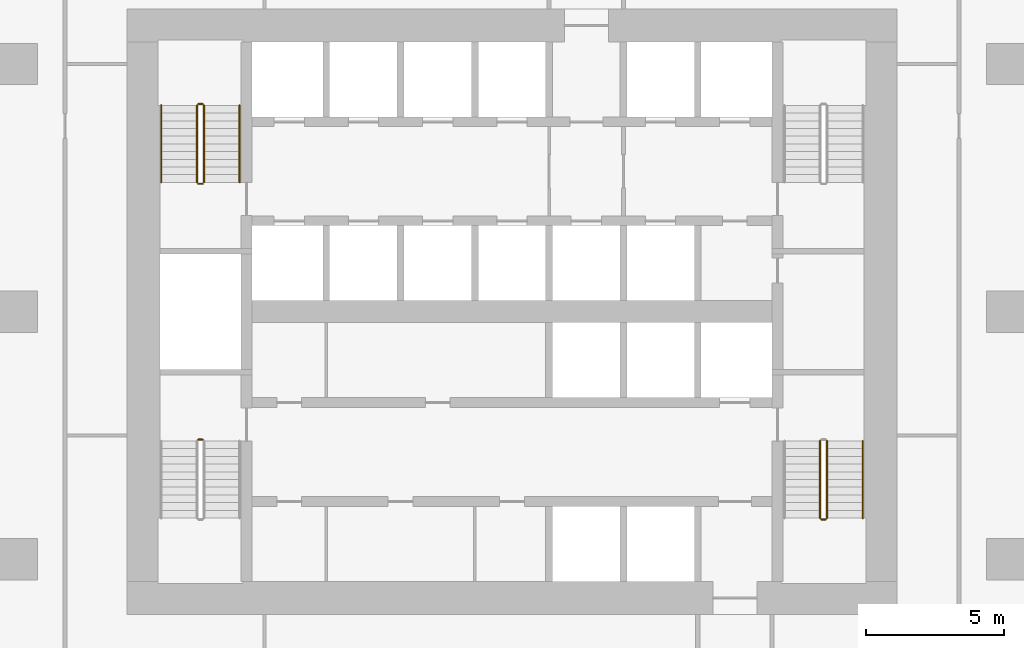
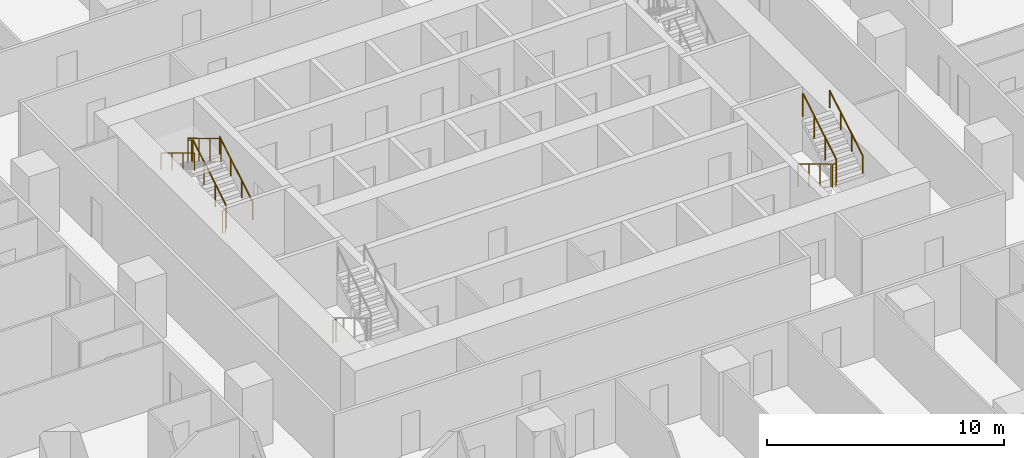
# One storey, part 24 of 27: 11 railings.
"""IFC4 building model written with IfcOpenShell, lengths in metres."""

import ifcopenshell
import ifcopenshell.guid

model = None  # the IFC model being written
_history = None  # IfcOwnerHistory: only IFC2X3 demands one
_inside = {}  # id of a spatial element -> (the spatial element, [elements in it])
_under = {}  # id of a project, library or spatial element -> (it, [spatial elements below it])
_declared = {}  # id of a project -> (the project, [libraries it declares])
_typed = {}  # id of a type object -> (the type object, [elements of that type])
_made_of = {}  # id of a material, layer set ... -> (it, [elements and type objects made of it])


def new_model(schema):
    """Start an empty IFC model of exactly this schema.

    Asked for "IFC4X3", IfcOpenShell would pick the latest addendum, in which some entities
    have other attributes; the version numbers below select the first issue.
    IFC2X3 requires an IfcOwnerHistory on every rooted entity: one is made here for all.
    """
    global model, _history
    if schema == "IFC4X3":
        model = ifcopenshell.file(schema_version=(4, 3, 0, 0))
    else:
        model = ifcopenshell.file(schema=schema)
    _inside.clear()
    _under.clear()
    _declared.clear()
    _typed.clear()
    _made_of.clear()
    _history = None
    if model.schema == "IFC2X3":
        org = make("IfcOrganization", Name="unknown")
        user = make(
            "IfcPersonAndOrganization",
            ThePerson=make("IfcPerson", FamilyName="unknown"),
            TheOrganization=org,
        )
        app = make(
            "IfcApplication",
            ApplicationDeveloper=org,
            Version="unknown",
            ApplicationFullName="unknown",
            ApplicationIdentifier="unknown",
        )
        _history = make(
            "IfcOwnerHistory",
            OwningUser=user,
            OwningApplication=app,
            ChangeAction="ADDED",
            CreationDate=0,
        )
    return model


def make(cls, **values):
    """One entity of the class cls with the attributes given. An attribute that is None is left unset."""
    return model.create_entity(
        cls, **{name: value for name, value in values.items() if value is not None}
    )


def rooted(cls, **values):
    """An entity with a GlobalId (a new one), such as an element, a storey or a relation."""
    return make(cls, GlobalId=ifcopenshell.guid.new(), OwnerHistory=_history, **values)


def si_unit(unit_type, name, prefix=None):
    """IfcSIUnit, for example si_unit("LENGTHUNIT", "METRE", prefix="MILLI")."""
    return make("IfcSIUnit", UnitType=unit_type, Prefix=prefix, Name=name)


def assignment(units):
    """IfcUnitAssignment: the units of a project."""
    return None if units is None else make("IfcUnitAssignment", Units=units)


def point(xyz):
    """IfcCartesianPoint."""
    return None if xyz is None else make("IfcCartesianPoint", Coordinates=xyz)


def direction(xyz):
    """IfcDirection."""
    return None if xyz is None else make("IfcDirection", DirectionRatios=xyz)


def frame(location, z_axis=None, x_axis=None):
    """IfcAxis2Placement3D, a coordinate frame: its origin and axes. An axis left out is left unset."""
    return make(
        "IfcAxis2Placement3D",
        Location=point(location),
        Axis=direction(z_axis),
        RefDirection=direction(x_axis),
    )


def frame_2d(location, x_axis=None):
    """IfcAxis2Placement2D, a coordinate frame in the plane: its origin and x axis."""
    return make(
        "IfcAxis2Placement2D", Location=point(location), RefDirection=direction(x_axis)
    )


def origin():
    """The frame at (0, 0, 0) with its axes left unset."""
    return frame((0.0, 0.0, 0.0))


def origin_2d():
    """The frame at (0, 0) in the plane with its x axis left unset."""
    return frame_2d((0.0, 0.0))


def place(relative_to, where):
    """IfcLocalPlacement: puts the frame where relative to a parent placement (None: the world)."""
    return make(
        "IfcLocalPlacement", PlacementRelTo=relative_to, RelativePlacement=where
    )


def context(
    kind, dimensions, precision=None, world=None, true_north=None, identifier=None
):
    """IfcGeometricRepresentationContext, for example the 3D "Model" context."""
    return make(
        "IfcGeometricRepresentationContext",
        ContextIdentifier=identifier,
        ContextType=kind,
        CoordinateSpaceDimension=dimensions,
        Precision=precision,
        WorldCoordinateSystem=world,
        TrueNorth=true_north,
    )


def subcontext(parent, identifier, kind, view, scale=None):
    """IfcGeometricRepresentationSubContext, for example "Body" below "Model"."""
    return make(
        "IfcGeometricRepresentationSubContext",
        ContextIdentifier=identifier,
        ContextType=kind,
        ParentContext=parent,
        TargetScale=scale,
        TargetView=view,
    )


def project(units=None, contexts=None):
    """IfcProject with its units and contexts."""
    return rooted(
        "IfcProject",
        Name="project",
        RepresentationContexts=contexts,
        UnitsInContext=assignment(units),
    )


def spatial(cls, under=None, at=None, **own):
    """A site, building, storey or space (cls), placed at a placement, below another one or the project."""
    s = rooted(cls, ObjectPlacement=at, **own)
    if under is not None:
        _under.setdefault(under.id(), (under, []))[1].append(s)
    return s


def profile(cls, at=None, kind="AREA", **sizes):
    """A parametric profile (cls). Its sizes go by their IFC names, for example OverallWidth=200.0."""
    return make(cls, ProfileType=kind, Position=at, **sizes)


def circle(**sizes):
    """IfcCircleProfileDef."""
    return profile("IfcCircleProfileDef", **sizes)


def extrude(swept, where, along, depth):
    """IfcExtrudedAreaSolid: the profile swept, set in the frame where, extruded along a direction by depth."""
    return make(
        "IfcExtrudedAreaSolid",
        SweptArea=swept,
        Position=where,
        ExtrudedDirection=direction(along),
        Depth=depth,
    )


def shape(context_of_items, identifier, shape_type, items):
    """IfcShapeRepresentation: the items that make up one representation, for example the "Body"."""
    return make(
        "IfcShapeRepresentation",
        ContextOfItems=context_of_items,
        RepresentationIdentifier=identifier,
        RepresentationType=shape_type,
        Items=items,
    )


def material(Name=None, Category=None):
    """IfcMaterial."""
    return make("IfcMaterial", Name=Name, Category=Category)


def made_of(thing, what):
    """Note that an element or type object is made of a material, layer set ...; save() writes the relation."""
    if what is not None:
        _made_of.setdefault(what.id(), (what, []))[1].append(thing)
    return thing


def type_object(cls, material=None, **own):
    """A type object (cls), such as IfcWallType, which elements share."""
    return made_of(rooted(cls, **own), material)


def element(
    cls,
    number,
    at=None,
    inside=None,
    cuts=None,
    type_object=None,
    material=None,
    context=None,
    identifier="Body",
    shape_type=None,
    held_by="IfcProductDefinitionShape",
    body=None,
    shapes=None,
    **own,
):
    """One element of the class cls, such as IfcWall. Its Tag is "e" and its number.

    at: its placement. inside: the storey or other place that contains it. cuts: it is an
    opening in that element (IfcRelVoidsElement). A single representation is given by context,
    identifier, shape_type and body (its items); several are given by shapes. held_by: the class
    of the entity that holds the representations. save() writes the other relations.
    """
    e = rooted(cls, Tag="e%d" % number, ObjectPlacement=at, **own)
    if body is not None:
        shapes = [shape(context, identifier, shape_type, body)]
    if shapes is not None:
        e.Representation = make(held_by, Representations=shapes)
    if inside is not None:
        _inside.setdefault(inside.id(), (inside, []))[1].append(e)
    if cuts is not None:
        rooted(
            "IfcRelVoidsElement", RelatingBuildingElement=cuts, RelatedOpeningElement=e
        )
    if type_object is not None:
        _typed.setdefault(type_object.id(), (type_object, []))[1].append(e)
    return made_of(e, material)


def aggregate(whole, parts):
    """IfcRelAggregates: a whole, such as a stair, and the parts it consists of."""
    return rooted("IfcRelAggregates", RelatingObject=whole, RelatedObjects=parts)


def save(model, path):
    """Write the relations noted so far, then the file.

    IfcRelAggregates (storeys below a building ...), IfcRelContainedInSpatialStructure (elements
    in a storey), IfcRelDefinesByType, IfcRelAssociatesMaterial and IfcRelDeclares: one each for
    every whole, place, type object, material and project.
    """
    for whole, parts in _under.values():
        aggregate(whole, parts)
    for where, things in _inside.values():
        rooted(
            "IfcRelContainedInSpatialStructure",
            RelatedElements=things,
            RelatingStructure=where,
        )
    for kind, things in _typed.values():
        rooted("IfcRelDefinesByType", RelatedObjects=things, RelatingType=kind)
    for what, things in _made_of.values():
        rooted("IfcRelAssociatesMaterial", RelatedObjects=things, RelatingMaterial=what)
    for by, libraries in _declared.values():
        rooted("IfcRelDeclares", RelatingContext=by, RelatedDefinitions=libraries)
    model.write(path)


model = new_model("IFC4")

# Units and contexts
model_context = context("Model", 3, precision=1e-05, world=origin(), true_north=direction((0.0, 1.0)))
body_context = subcontext(model_context, "Body", "Model", "MODEL_VIEW")
ifc_project = project(units=[si_unit("LENGTHUNIT", "METRE"), si_unit("AREAUNIT", "SQUARE_METRE"), si_unit("VOLUMEUNIT", "CUBIC_METRE"), si_unit("PLANEANGLEUNIT", "RADIAN"), si_unit("MASSUNIT", "GRAM", prefix="KILO")], contexts=[model_context])

# Site, building, storey
site_placement = place(None, origin())
site = spatial("IfcSite", under=ifc_project, at=site_placement, CompositionType="ELEMENT")
building_placement = place(site_placement, origin())
building = spatial("IfcBuilding", under=site, at=building_placement, Name="Dongbaek Canopy Tower", CompositionType="ELEMENT")
storey_placement = place(building_placement, frame((0.0, 0.0, 62.5)))
storey = spatial("IfcBuildingStorey", under=building, at=storey_placement, Name="L11", CompositionType="ELEMENT", Elevation=62.5)

# Railings
ifc_material_1 = material(Name="Stainless steel tube and balusters", Category="steel")
railing_type_1 = type_object("IfcRailingType", Name="Stair guard 1200", PredefinedType="GUARDRAIL", material=ifc_material_1)
railing_1_placement = place(storey_placement, frame((-11.199951171875, 4.699951171875, 0.168212890625)))
element("IfcRailing", 1, at=railing_1_placement, inside=storey, type_object=railing_type_1, Name="L11 ST-C stair guard 1", PredefinedType="GUARDRAIL", context=body_context, shape_type="SweptSolid", body=[
    extrude(circle(Radius=0.02392578125, at=origin_2d()), frame((0.0, 0.0, 1.17578125), z_axis=(0.0, 0.857242210791, 0.514913383045), x_axis=(-1.0, 0.0, 0.0)), (0.0, 0.0, 1.0), 3.266357421875),
    extrude(circle(Radius=0.02099609375, at=origin_2d()), origin(), (0.0, 0.0, 1.0), 1.15185546875),
    extrude(circle(Radius=0.02099609375, at=origin_2d()), frame((0.0, 0.933349609375, 0.560546875)), (0.0, 0.0, 1.0), 1.15185546875),
    extrude(circle(Radius=0.02099609375, at=origin_2d()), frame((0.0, 1.86669921875, 1.121337890625)), (0.0, 0.0, 1.0), 1.15185546875),
    extrude(circle(Radius=0.02099609375, at=origin_2d()), frame((0.0, 2.800048828125, 1.681884765625)), (0.0, 0.0, 1.0), 1.15185546875),
])
railing_2_placement = place(storey_placement, frame((-11.25, 7.550048828125, 1.85009765625)))
element("IfcRailing", 2, at=railing_2_placement, inside=storey, type_object=railing_type_1, Name="L11 ST-C stair guard 2", PredefinedType="GUARDRAIL", context=body_context, shape_type="SweptSolid", body=[
    extrude(circle(Radius=0.02392578125, at=origin_2d()), frame((0.0, 0.0, 1.17578125), z_axis=(-1.0, 0.0, 0.0), x_axis=(0.0, -1.0, 0.0)), (0.0, 0.0, 1.0), 0.14990234375),
    extrude(circle(Radius=0.02099609375, at=origin_2d()), origin(), (0.0, 0.0, 1.0), 1.15185546875),
    extrude(circle(Radius=0.02099609375, at=origin_2d()), frame((-0.14990234375, 0.0, 0.0)), (0.0, 0.0, 1.0), 1.15185546875),
])
railing_3_placement = place(storey_placement, frame((-11.449951171875, 7.5, 2.01806640625)))
element("IfcRailing", 3, at=railing_3_placement, inside=storey, type_object=railing_type_1, Name="L11 ST-C stair guard 3", PredefinedType="GUARDRAIL", context=body_context, shape_type="SweptSolid", body=[
    extrude(circle(Radius=0.02392578125, at=origin_2d()), frame((0.0, 0.0, 1.17578125), z_axis=(0.0, -0.857242210791, 0.514913383045), x_axis=(1.0, 0.0, 0.0)), (0.0, 0.0, 1.0), 3.266357421875),
    extrude(circle(Radius=0.02099609375, at=origin_2d()), origin(), (0.0, 0.0, 1.0), 1.15185546875),
    extrude(circle(Radius=0.02099609375, at=origin_2d()), frame((0.0, -0.933349609375, 0.560546875)), (0.0, 0.0, 1.0), 1.15185546875),
    extrude(circle(Radius=0.02099609375, at=origin_2d()), frame((0.0, -1.86669921875, 1.121337890625)), (0.0, 0.0, 1.0), 1.15185546875),
    extrude(circle(Radius=0.02099609375, at=origin_2d()), frame((0.0, -2.800048828125, 1.681884765625)), (0.0, 0.0, 1.0), 1.15185546875),
])
railing_4_placement = place(storey_placement, frame((-11.25, 4.64990234375, 0.0)))
element("IfcRailing", 4, at=railing_4_placement, inside=storey, type_object=railing_type_1, Name="L11 ST-C stair guard 4", PredefinedType="GUARDRAIL", context=body_context, shape_type="SweptSolid", body=[
    extrude(circle(Radius=0.02392578125, at=origin_2d()), frame((0.0, 0.0, 1.17578125), z_axis=(-1.0, 0.0, 0.0), x_axis=(0.0, -1.0, 0.0)), (0.0, 0.0, 1.0), 0.14990234375),
    extrude(circle(Radius=0.02099609375, at=origin_2d()), origin(), (0.0, 0.0, 1.0), 1.15185546875),
    extrude(circle(Radius=0.02099609375, at=origin_2d()), frame((-0.14990234375, 0.0, 0.0)), (0.0, 0.0, 1.0), 1.15185546875),
])
railing_5_placement = place(storey_placement, frame((11.199951171875, -4.699951171875, 0.168212890625)))
element("IfcRailing", 5, at=railing_5_placement, inside=storey, type_object=railing_type_1, Name="L11 ST-B stair guard 1", PredefinedType="GUARDRAIL", context=body_context, shape_type="SweptSolid", body=[
    extrude(circle(Radius=0.02392578125, at=origin_2d()), frame((0.0, 0.0, 1.17578125), z_axis=(0.0, -0.857242210791, 0.514913383045), x_axis=(1.0, 0.0, 0.0)), (0.0, 0.0, 1.0), 3.266357421875),
    extrude(circle(Radius=0.02099609375, at=origin_2d()), origin(), (0.0, 0.0, 1.0), 1.15185546875),
    extrude(circle(Radius=0.02099609375, at=origin_2d()), frame((0.0, -0.933349609375, 0.560546875)), (0.0, 0.0, 1.0), 1.15185546875),
    extrude(circle(Radius=0.02099609375, at=origin_2d()), frame((0.0, -1.86669921875, 1.121337890625)), (0.0, 0.0, 1.0), 1.15185546875),
    extrude(circle(Radius=0.02099609375, at=origin_2d()), frame((0.0, -2.800048828125, 1.681884765625)), (0.0, 0.0, 1.0), 1.15185546875),
])
railing_6_placement = place(storey_placement, frame((11.25, -7.550048828125, 1.85009765625)))
element("IfcRailing", 6, at=railing_6_placement, inside=storey, type_object=railing_type_1, Name="L11 ST-B stair guard 2", PredefinedType="GUARDRAIL", context=body_context, shape_type="SweptSolid", body=[
    extrude(circle(Radius=0.02392578125, at=origin_2d()), frame((0.0, 0.0, 1.17578125), z_axis=(1.0, 0.0, 0.0), x_axis=(0.0, 1.0, 0.0)), (0.0, 0.0, 1.0), 0.14990234375),
    extrude(circle(Radius=0.02099609375, at=origin_2d()), origin(), (0.0, 0.0, 1.0), 1.15185546875),
    extrude(circle(Radius=0.02099609375, at=origin_2d()), frame((0.14990234375, 0.0, 0.0)), (0.0, 0.0, 1.0), 1.15185546875),
])
railing_7_placement = place(storey_placement, frame((11.449951171875, -7.5, 2.01806640625)))
element("IfcRailing", 7, at=railing_7_placement, inside=storey, type_object=railing_type_1, Name="L11 ST-B stair guard 3", PredefinedType="GUARDRAIL", context=body_context, shape_type="SweptSolid", body=[
    extrude(circle(Radius=0.02392578125, at=origin_2d()), frame((0.0, 0.0, 1.17578125), z_axis=(0.0, 0.857242210791, 0.514913383045), x_axis=(-1.0, 0.0, 0.0)), (0.0, 0.0, 1.0), 3.266357421875),
    extrude(circle(Radius=0.02099609375, at=origin_2d()), origin(), (0.0, 0.0, 1.0), 1.15185546875),
    extrude(circle(Radius=0.02099609375, at=origin_2d()), frame((0.0, 0.933349609375, 0.560546875)), (0.0, 0.0, 1.0), 1.15185546875),
    extrude(circle(Radius=0.02099609375, at=origin_2d()), frame((0.0, 1.86669921875, 1.121337890625)), (0.0, 0.0, 1.0), 1.15185546875),
    extrude(circle(Radius=0.02099609375, at=origin_2d()), frame((0.0, 2.800048828125, 1.681884765625)), (0.0, 0.0, 1.0), 1.15185546875),
])
railing_8_placement = place(storey_placement, frame((-11.39990234375, -4.64990234375, 0.0)))
element("IfcRailing", 8, at=railing_8_placement, inside=storey, type_object=railing_type_1, Name="L11 ST-D stair guard 4", PredefinedType="GUARDRAIL", context=body_context, shape_type="SweptSolid", body=[
    extrude(circle(Radius=0.02392578125, at=origin_2d()), frame((0.0, 0.0, 1.17578125), z_axis=(1.0, 0.0, 0.0), x_axis=(0.0, 1.0, 0.0)), (0.0, 0.0, 1.0), 0.14990234375),
    extrude(circle(Radius=0.02099609375, at=origin_2d()), origin(), (0.0, 0.0, 1.0), 1.15185546875),
    extrude(circle(Radius=0.02099609375, at=origin_2d()), frame((0.14990234375, 0.0, 0.0)), (0.0, 0.0, 1.0), 1.15185546875),
])
ifc_material_2 = material(Name="Stainless steel tube", Category="steel")
railing_type_2 = type_object("IfcRailingType", Name="Stair handrail 900", PredefinedType="HANDRAIL", material=ifc_material_2)
railing_9_placement = place(storey_placement, frame((-9.89990234375, 4.699951171875, 0.168212890625)))
element("IfcRailing", 9, at=railing_9_placement, inside=storey, type_object=railing_type_2, Name="L11 ST-C stair handrail 1", PredefinedType="HANDRAIL", context=body_context, shape_type="SweptSolid", body=[
    extrude(circle(Radius=0.02392578125, at=origin_2d()), frame((0.0, 0.0, 0.8759765625), z_axis=(0.0, 0.857242210791, 0.514913383045), x_axis=(-1.0, 0.0, 0.0)), (0.0, 0.0, 1.0), 3.266357421875),
    extrude(circle(Radius=0.02099609375, at=origin_2d()), origin(), (0.0, 0.0, 1.0), 0.851806640625),
    extrude(circle(Radius=0.02099609375, at=origin_2d()), frame((0.0, 0.933349609375, 0.560546875)), (0.0, 0.0, 1.0), 0.851806640625),
    extrude(circle(Radius=0.02099609375, at=origin_2d()), frame((0.0, 1.86669921875, 1.121337890625)), (0.0, 0.0, 1.0), 0.851806640625),
    extrude(circle(Radius=0.02099609375, at=origin_2d()), frame((0.0, 2.800048828125, 1.681884765625)), (0.0, 0.0, 1.0), 0.851806640625),
])
railing_10_placement = place(storey_placement, frame((-12.75, 7.5, 2.01806640625)))
element("IfcRailing", 10, at=railing_10_placement, inside=storey, type_object=railing_type_2, Name="L11 ST-C stair handrail 2", PredefinedType="HANDRAIL", context=body_context, shape_type="SweptSolid", body=[
    extrude(circle(Radius=0.02392578125, at=origin_2d()), frame((0.0, 0.0, 0.8759765625), z_axis=(0.0, -0.857242210791, 0.514913383045), x_axis=(1.0, 0.0, 0.0)), (0.0, 0.0, 1.0), 3.266357421875),
    extrude(circle(Radius=0.02099609375, at=origin_2d()), origin(), (0.0, 0.0, 1.0), 0.851806640625),
    extrude(circle(Radius=0.02099609375, at=origin_2d()), frame((0.0, -0.933349609375, 0.560546875)), (0.0, 0.0, 1.0), 0.851806640625),
    extrude(circle(Radius=0.02099609375, at=origin_2d()), frame((0.0, -1.86669921875, 1.121337890625)), (0.0, 0.0, 1.0), 0.851806640625),
    extrude(circle(Radius=0.02099609375, at=origin_2d()), frame((0.0, -2.800048828125, 1.681884765625)), (0.0, 0.0, 1.0), 0.851806640625),
])
railing_11_placement = place(storey_placement, frame((12.75, -7.5, 2.01806640625)))
element("IfcRailing", 11, at=railing_11_placement, inside=storey, type_object=railing_type_2, Name="L11 ST-B stair handrail 2", PredefinedType="HANDRAIL", context=body_context, shape_type="SweptSolid", body=[
    extrude(circle(Radius=0.02392578125, at=origin_2d()), frame((0.0, 0.0, 0.8759765625), z_axis=(0.0, 0.857242210791, 0.514913383045), x_axis=(-1.0, 0.0, 0.0)), (0.0, 0.0, 1.0), 3.266357421875),
    extrude(circle(Radius=0.02099609375, at=origin_2d()), origin(), (0.0, 0.0, 1.0), 0.851806640625),
    extrude(circle(Radius=0.02099609375, at=origin_2d()), frame((0.0, 0.933349609375, 0.560546875)), (0.0, 0.0, 1.0), 0.851806640625),
    extrude(circle(Radius=0.02099609375, at=origin_2d()), frame((0.0, 1.86669921875, 1.121337890625)), (0.0, 0.0, 1.0), 0.851806640625),
    extrude(circle(Radius=0.02099609375, at=origin_2d()), frame((0.0, 2.800048828125, 1.681884765625)), (0.0, 0.0, 1.0), 0.851806640625),
])

save(model, "model.ifc")
